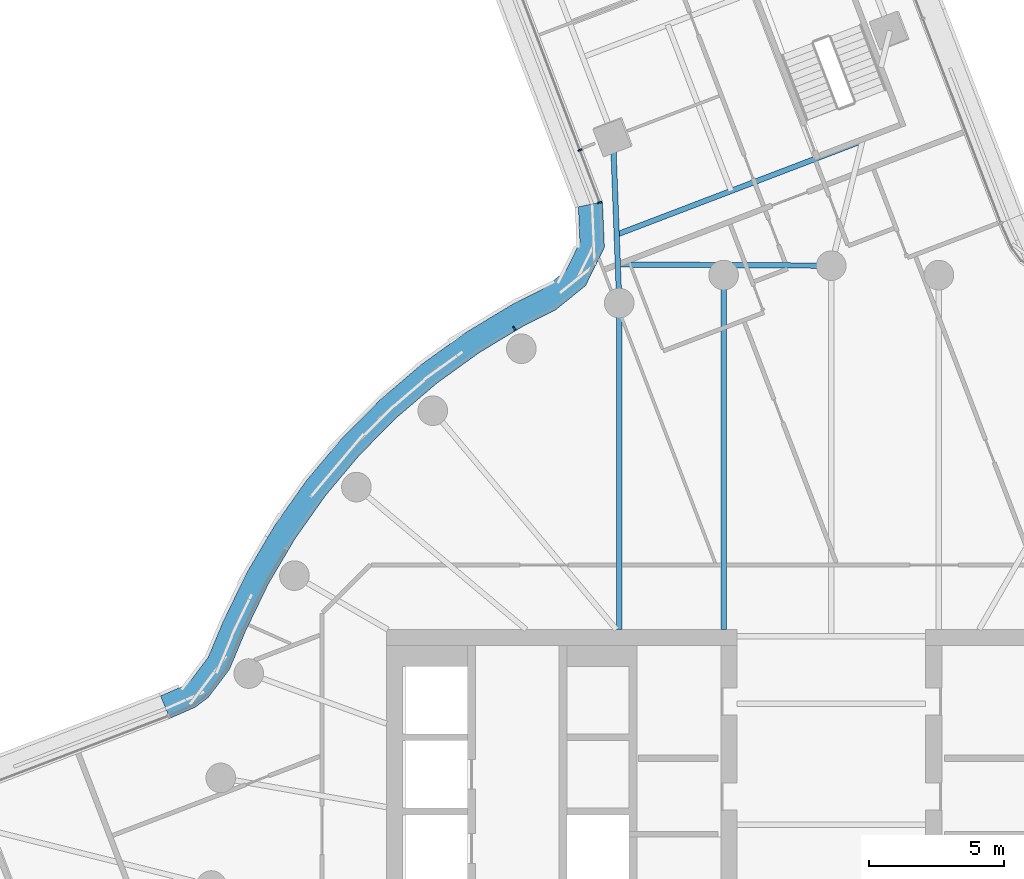
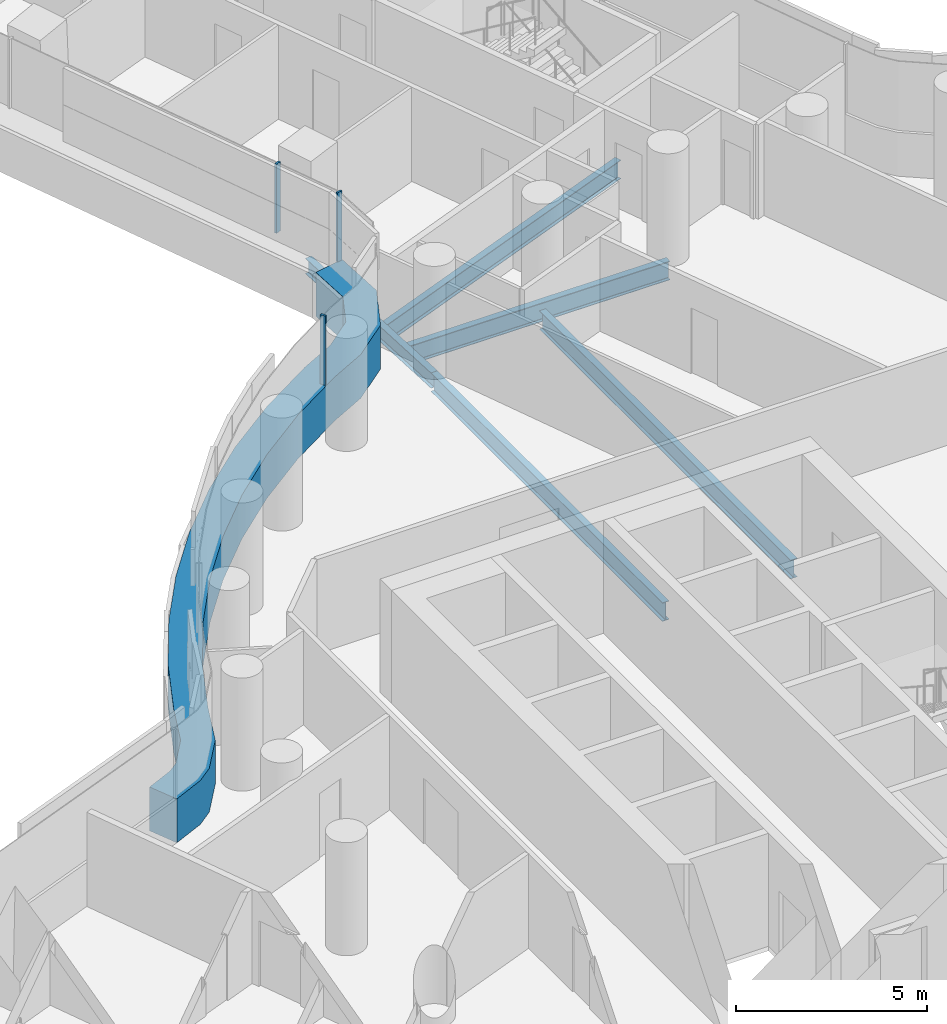
# One storey, part 13 of 32: 5 beams, 4 members, 2 elements without a shape of their own.
"""IFC4 building model written with IfcOpenShell, lengths in metres."""

from ifc_helpers import new_model, si_unit, direction, frame, origin, origin_2d, place, context, subcontext, project, spatial, polyline, rectangle, i_section, outline, extrude, material, layer, layer_set, material_profile, profile_set, type_object, element, aggregate, save


model = new_model("IFC4")

# Units and contexts
model_context = context("Model", 3, precision=1e-05, world=origin(), true_north=direction((0.0, 1.0)))
body_context = subcontext(model_context, "Body", "Model", "MODEL_VIEW")
ifc_project = project(units=[si_unit("LENGTHUNIT", "METRE"), si_unit("AREAUNIT", "SQUARE_METRE"), si_unit("VOLUMEUNIT", "CUBIC_METRE"), si_unit("PLANEANGLEUNIT", "RADIAN"), si_unit("MASSUNIT", "GRAM", prefix="KILO")], contexts=[model_context])

# Site, building, storey
site_placement = place(None, origin())
site = spatial("IfcSite", under=ifc_project, at=site_placement, CompositionType="ELEMENT")
building_placement = place(site_placement, origin())
building = spatial("IfcBuilding", under=site, at=building_placement, Name="Tamarind Cross Interchange Tower", CompositionType="ELEMENT")
storey_placement = place(building_placement, frame((0.0, 0.0, 109.75)))
storey = spatial("IfcBuildingStorey", under=building, at=storey_placement, Name="L26", CompositionType="ELEMENT", Elevation=109.75)

# Beams
ifc_material_1 = material(Name="Steel Q355B", Category="steel")
ifc_material_profile_1 = material_profile(ifc_material_1, i_section(OverallWidth=0.198974609375, OverallDepth=0.49609375, WebThickness=0.009033203125, FlangeThickness=0.013916015625, FilletRadius=0.012939453125, at=origin_2d()), Name="HN 496x199x9x14")
ifc_profile_set_1 = profile_set([ifc_material_profile_1], Name="Steel Q355B")
beam_type_1 = type_object("IfcBeamType", Name="Composite beam HN 496x199x9x14 Q355B", PredefinedType="BEAM", material=ifc_profile_set_1)
beam_1_placement = place(storey_placement, frame((-8.0986328125, 27.79248046875, -0.387939453125), z_axis=(0.037546104323, -0.99929489644, 0.0), x_axis=(0.99929489644, 0.037546104323, 0.0)))
element("IfcBeam", 1, at=beam_1_placement, inside=storey, type_object=beam_type_1, Name="Beam N-linkep", PredefinedType="BEAM", context=body_context, shape_type="SweptSolid", body=[
    extrude(i_section(OverallWidth=0.198974609375, OverallDepth=0.49609375, WebThickness=0.009033203125, FlangeThickness=0.013916015625, FilletRadius=0.012939453125, at=origin_2d()), origin(), (0.0, 0.0, 1.0), 6.183837890625),
])
ifc_material_profile_2 = material_profile(ifc_material_1, i_section(OverallWidth=0.198974609375, OverallDepth=0.595947265625, WebThickness=0.010009765625, FlangeThickness=0.014892578125, FilletRadius=0.012939453125, at=origin_2d()), Name="HN 596x199x10x15")
ifc_profile_set_2 = profile_set([ifc_material_profile_2], Name="Steel Q355B")
beam_type_2 = type_object("IfcBeamType", Name="Composite beam HN 596x199x10x15 Q355B", PredefinedType="BEAM", material=ifc_profile_set_2)
beam_2_placement = place(storey_placement, frame((-3.993896484375, 22.650634765625, -0.43798828125), z_axis=(0.0, -1.0, 0.0), x_axis=(1.0, 0.0, 0.0)))
element("IfcBeam", 2, at=beam_2_placement, inside=storey, type_object=beam_type_2, Name="Beam HH10", PredefinedType="BEAM", context=body_context, shape_type="SweptSolid", body=[
    extrude(i_section(OverallWidth=0.198974609375, OverallDepth=0.595947265625, WebThickness=0.010009765625, FlangeThickness=0.014892578125, FilletRadius=0.012939453125, at=origin_2d()), origin(), (0.0, 0.0, 1.0), 13.150634765625),
])
beam_3_placement = place(storey_placement, frame((-7.866455078125, 21.613037109375, -0.43798828125), z_axis=(0.0, -1.0, 0.0), x_axis=(1.0, 0.0, 0.0)))
element("IfcBeam", 3, at=beam_3_placement, inside=storey, type_object=beam_type_2, Name="Beam HH11", PredefinedType="BEAM", context=body_context, shape_type="SweptSolid", body=[
    extrude(i_section(OverallWidth=0.198974609375, OverallDepth=0.595947265625, WebThickness=0.010009765625, FlangeThickness=0.014892578125, FilletRadius=0.012939453125, at=origin_2d()), origin(), (0.0, 0.0, 1.0), 12.113037109375),
])
ifc_material_profile_3 = material_profile(ifc_material_1, i_section(OverallWidth=0.199951171875, OverallDepth=0.60009765625, WebThickness=0.010986328125, FlangeThickness=0.01708984375, FilletRadius=0.012939453125, at=origin_2d()), Name="HN 600x200x11x17")
ifc_profile_set_3 = profile_set([ifc_material_profile_3], Name="Steel Q355B")
beam_type_3 = type_object("IfcBeamType", Name="Composite beam HN 600x200x11x17 Q355B", PredefinedType="BEAM", material=ifc_profile_set_3)
beam_4_placement = place(storey_placement, frame((1.15771484375, 27.633544921875, -0.43994140625), z_axis=(-0.934230356771, -0.356670212505, 0.0), x_axis=(0.356670212505, -0.934230356771, 0.0)))
element("IfcBeam", 4, at=beam_4_placement, inside=storey, type_object=beam_type_3, Name="Beam N-x268", PredefinedType="BEAM", context=body_context, shape_type="SweptSolid", body=[
    extrude(i_section(OverallWidth=0.199951171875, OverallDepth=0.60009765625, WebThickness=0.010986328125, FlangeThickness=0.01708984375, FilletRadius=0.012939453125, at=origin_2d()), origin(), (0.0, 0.0, 1.0), 9.76171875),
])
beam_5_placement = place(storey_placement, frame((0.0, 23.0, -0.43994140625), z_axis=(-0.999984777791, 0.00551762508, 0.0), x_axis=(-0.00551762508, -0.999984777791, 0.0)))
element("IfcBeam", 5, at=beam_5_placement, inside=storey, type_object=beam_type_3, Name="Beam N-x258", PredefinedType="BEAM", context=body_context, shape_type="SweptSolid", body=[
    extrude(i_section(OverallWidth=0.199951171875, OverallDepth=0.60009765625, WebThickness=0.010986328125, FlangeThickness=0.01708984375, FilletRadius=0.012939453125, at=origin_2d()), origin(), (0.0, 0.0, 1.0), 7.920166015625),
])

# Curtain wall, member
ifc_material_2 = material(Name="Aluminium 6063-T6", Category="aluminium")
ifc_layer = layer(ifc_material_2, 0.159912109375)
ifc_layer_set = layer_set([ifc_layer], Name="Aluminium 6063-T6")
curtain_wall_type = type_object("IfcCurtainWallType", Name="Office curtain wall, 9.0 m bays", PredefinedType="NOTDEFINED", material=ifc_layer_set)
curtain_wall_1_placement = place(storey_placement, origin())
curtain_wall_1 = element("IfcCurtainWall", 6, at=curtain_wall_1_placement, inside=storey, type_object=curtain_wall_type, Name="CWS-L26-14", PredefinedType="NOTDEFINED")
ifc_material_3 = material(Name="Aluminium and insulated spandrel panel", Category="aluminium")
member_type_1 = type_object("IfcMemberType", Name="Floor-edge blade transom", PredefinedType="USERDEFINED", material=ifc_material_3)
member_1_placement = place(storey_placement, origin())
member_1 = element("IfcMember", 7, at=member_1_placement, type_object=member_type_1, Name="CWT-L26-14", ObjectType="TRANSOM", PredefinedType="USERDEFINED", context=body_context, shape_type="SweptSolid", body=[
    extrude(outline(polyline([(-8.4892578125, 25.366455078125), (-8.417236328125, 23.677734375), (-9.116455078125, 22.2568359375), (-10.234619140625, 21.3544921875), (-11.3671875, 20.791259765625), (-13.045654296875, 19.78125), (-14.634521484375, 18.636474609375), (-16.12353515625, 17.3642578125), (-17.50244140625, 15.973388671875), (-18.76171875, 14.4736328125), (-19.892822265625, 12.874755859375), (-20.88818359375, 11.188232421875), (-21.74267578125, 9.421142578125), (-22.330322265625, 8.0185546875), (-23.1064453125, 6.9892578125), (-23.590087890625, 6.62109375), (-24.543212890625, 6.20068359375), (-24.885498046875, 7.033447265625), (-24.050537109375, 7.401611328125), (-23.75048828125, 7.6298828125), (-23.116943359375, 8.470458984375), (-22.563232421875, 9.791259765625), (-21.68212890625, 11.613525390625), (-20.64892578125, 13.3642578125), (-19.474853515625, 15.023681640625), (-18.167724609375, 16.580810546875), (-16.736572265625, 18.0244140625), (-15.19091796875, 19.344970703125), (-13.54150390625, 20.533203125), (-11.80029296875, 21.5810546875), (-10.723388671875, 22.116455078125), (-9.836181640625, 22.83251953125), (-9.326171875, 23.869140625), (-9.38232421875, 25.182861328125), (-8.4892578125, 25.366455078125)])), origin(), (0.0, 0.0, 1.0), 1.39990234375),
])

curtain_wall_2_placement = place(storey_placement, origin())
curtain_wall_2 = element("IfcCurtainWall", 8, at=curtain_wall_2_placement, inside=storey, type_object=curtain_wall_type, Name="CWS-L26-13", PredefinedType="NOTDEFINED")
ifc_material_profile_4 = material_profile(ifc_material_2, rectangle(XDim=0.06005859375, YDim=0.159912109375, at=origin_2d()), Name="Mullion CW1")
ifc_profile_set_4 = profile_set([ifc_material_profile_4], Name="Aluminium 6063-T6")
member_type_2 = type_object("IfcMemberType", Name="Mullion CW1", PredefinedType="MULLION", material=ifc_profile_set_4)
member_2_placement = place(storey_placement, frame((-9.326904296875, 27.289306640625, 1.39990234375), z_axis=(0.0, 0.0, 1.0), x_axis=(0.355185773082, -0.934795735228, 0.0)))
member_2 = element("IfcMember", 9, at=member_2_placement, type_object=member_type_2, Name="CWM-L26-13-02", PredefinedType="MULLION", context=body_context, shape_type="SweptSolid", body=[
    extrude(rectangle(XDim=0.06005859375, YDim=0.159912109375, at=origin_2d()), origin(), (0.0, 0.0, 1.0), 2.210205078125),
])
aggregate(curtain_wall_2, [member_2])

# Member
member_3_placement = place(storey_placement, frame((-8.588623046875, 25.34619140625, 1.39990234375), z_axis=(0.0, 0.0, 1.0), x_axis=(0.201536801334, -0.979480943004, 0.0)))
member_3 = element("IfcMember", 10, at=member_3_placement, type_object=member_type_2, Name="CWM-L26-14-00", PredefinedType="MULLION", context=body_context, shape_type="SweptSolid", body=[
    extrude(rectangle(XDim=0.06005859375, YDim=0.159912109375, at=origin_2d()), origin(), (0.0, 0.0, 1.0), 2.210205078125),
])

member_4_placement = place(storey_placement, frame((-11.758544921875, 20.67236328125, 1.39990234375), z_axis=(0.0, 0.0, 1.0), x_axis=(-0.856843065292, -0.515577308909, 0.0)))
member_4 = element("IfcMember", 11, at=member_4_placement, type_object=member_type_2, Name="CWM-L26-14-01", PredefinedType="MULLION", context=body_context, shape_type="SweptSolid", body=[
    extrude(rectangle(XDim=0.06005859375, YDim=0.159912109375, at=origin_2d()), origin(), (0.0, 0.0, 1.0), 2.210205078125),
])

aggregate(curtain_wall_1, [member_3, member_4, member_1])

save(model, "model.ifc")
